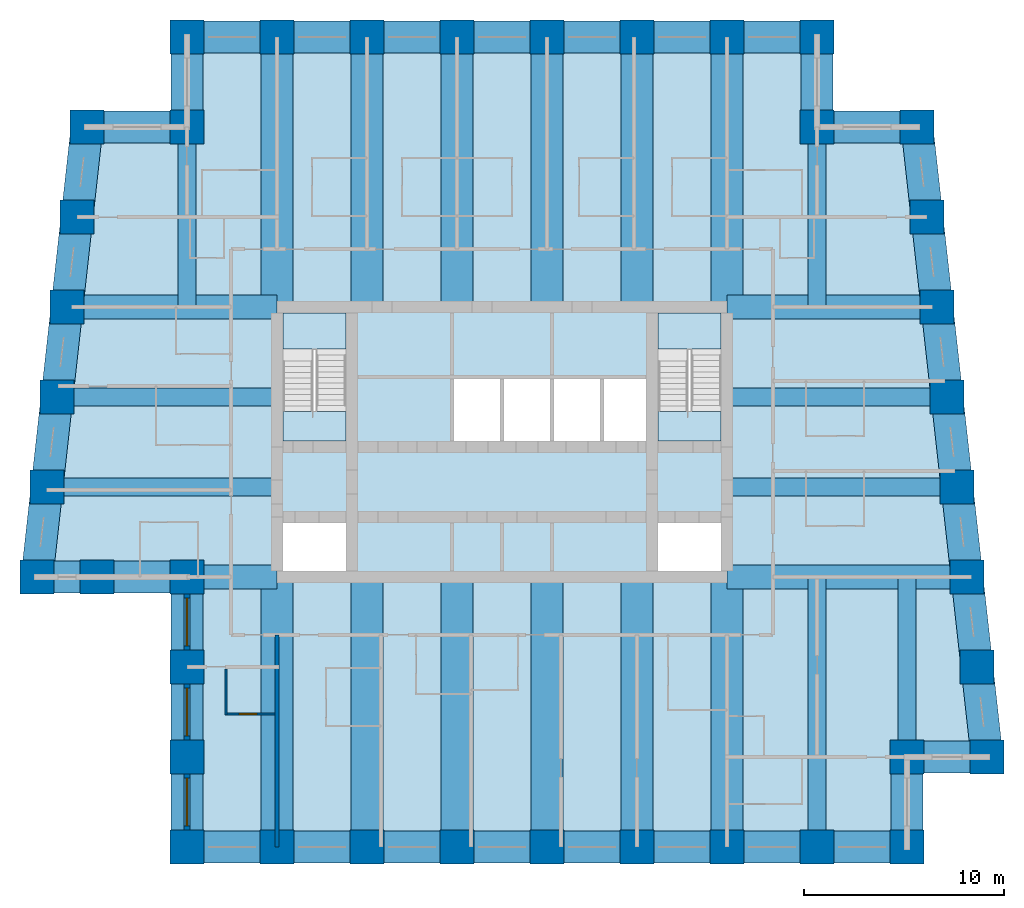
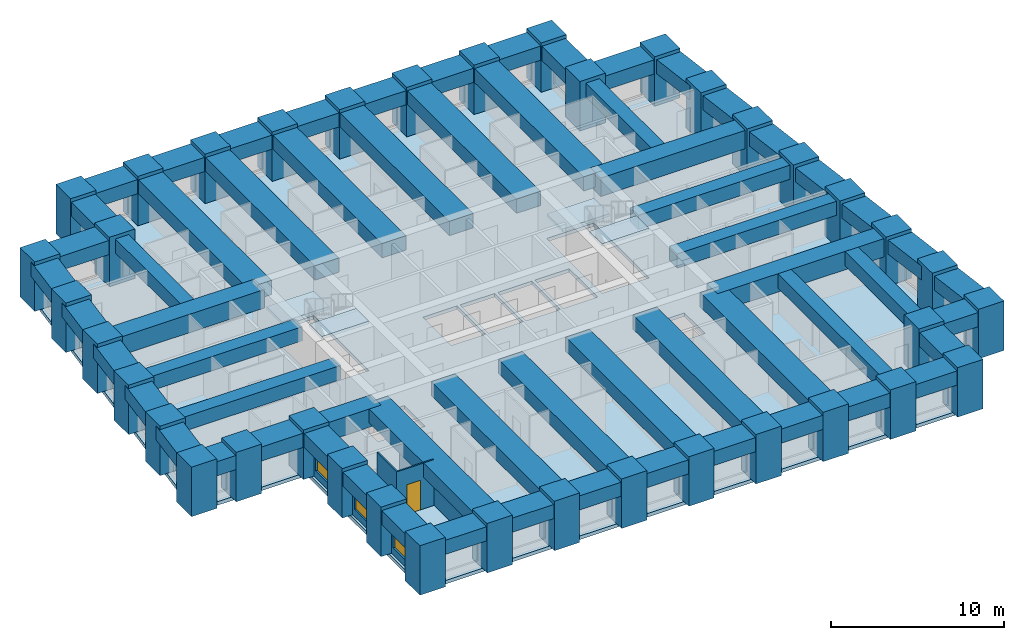
# One storey, part 1 of 8: 62 beams, 38 columns, 5 slabs, 4 walls, 3 windows, 1 door, 4 openings, 2 elements without a shape of their own.
"""IFC4 building model written with IfcOpenShell, lengths in metres."""

from ifc_helpers import new_model, si_unit, direction, frame, frame_2d, origin, origin_2d, place, context, subcontext, project, spatial, polyline, rectangle, outline, extrude, material, layer, layer_set, material_profile, profile_set, type_object, element, fill, aggregate, save


model = new_model("IFC4")

# Units and contexts
model_context = context("Model", 3, precision=1e-05, world=origin(), true_north=direction((0.0, 1.0)))
body_context = subcontext(model_context, "Body", "Model", "MODEL_VIEW")
ifc_project = project(units=[si_unit("LENGTHUNIT", "METRE"), si_unit("AREAUNIT", "SQUARE_METRE"), si_unit("VOLUMEUNIT", "CUBIC_METRE"), si_unit("PLANEANGLEUNIT", "RADIAN"), si_unit("MASSUNIT", "GRAM", prefix="KILO")], contexts=[model_context])

# Site, building, storey
site_placement = place(None, origin())
site = spatial("IfcSite", under=ifc_project, at=site_placement, CompositionType="ELEMENT")
building_placement = place(site_placement, origin())
building = spatial("IfcBuilding", under=site, at=building_placement, Name="Kilele Tower Hotel", CompositionType="ELEMENT")
storey_placement = place(building_placement, frame((0.0, 0.0, 183.39990234375)))
storey = spatial("IfcBuildingStorey", under=building, at=storey_placement, Name="L47", CompositionType="ELEMENT", Elevation=183.39990234375)

# Columns
ifc_material_1 = material(Name="Concrete C60/75", Category="concrete")
ifc_material_profile_1 = material_profile(ifc_material_1, rectangle(XDim=1.699951171875, YDim=1.699951171875, at=origin_2d()))
ifc_profile_set_1 = profile_set([ifc_material_profile_1], Name="Concrete C60/75")
column_type = type_object("IfcColumnType", Name="Tube column RC 1700x1700 C60/75", PredefinedType="COLUMN", material=ifc_profile_set_1)
for number, where, z_axis, x_axis, name in (
    (1, (1.5, 13.5, 0.0), (0.0, 0.0, 1.0), (1.0, 0.0, 0.0), "Column TC4 L47"),
    (2, (4.5, 13.5, 0.0), (0.0, 0.0, 1.0), (1.0, 0.0, 0.0), "Column TC4 L47"),
    (3, (9.0, 13.5, 0.0), (0.0, 0.0, 1.0), (1.0, 0.0, 0.0), "Column TC4 L47"),
    (4, (9.0, 9.0, 0.0), (0.0, 0.0, 1.0), (1.0, 0.0, 0.0), "Column TC4 L47"),
    (5, (9.0, 4.5, 0.0), (0.0, 0.0, 1.0), (1.0, 0.0, 0.0), "Column TC4 L47"),
    (6, (9.0, 0.0, 0.0), (0.0, 0.0, 1.0), (1.0, 0.0, 0.0), "Column TC4 L47"),
    (7, (13.5, 0.0, 0.0), (0.0, 0.0, 1.0), (1.0, 0.0, 0.0), "Column TC4 L47"),
    (8, (18.0, 0.0, 0.0), (0.0, 0.0, 1.0), (1.0, 0.0, 0.0), "Column TC4 L47"),
    (9, (22.5, 0.0, 0.0), (0.0, 0.0, 1.0), (1.0, 0.0, 0.0), "Column TC4 L47"),
    (10, (27.0, 0.0, 0.0), (0.0, 0.0, 1.0), (1.0, 0.0, 0.0), "Column TC4 L47"),
    (11, (31.5, 0.0, 0.0), (0.0, 0.0, 1.0), (1.0, 0.0, 0.0), "Column TC4 L47"),
    (12, (36.0, 0.0, 0.0), (0.0, 0.0, 1.0), (1.0, 0.0, 0.0), "Column TC4 L47"),
    (13, (40.5, 0.0, 0.0), (0.0, 0.0, 1.0), (1.0, 0.0, 0.0), "Column TC4 L47"),
    (14, (45.0, 0.0, 0.0), (0.0, 0.0, 1.0), (1.0, 0.0, 0.0), "Column TC4 L47"),
    (15, (45.0, 4.5, 0.0), (0.0, 0.0, 1.0), (1.0, 0.0, 0.0), "Column TC4 L47"),
    (16, (49.0, 4.5, 0.0), (0.0, 0.0, 1.0), (1.0, 0.0, 0.0), "Column TC4 L47"),
    (17, (48.5, 9.0, 0.0), (0.0, 0.0, 1.0), (1.0, 0.0, 0.0), "Column TC4 L47"),
    (18, (48.0, 13.5, 0.0), (0.0, 0.0, 1.0), (1.0, 0.0, 0.0), "Column TC4 L47"),
    (19, (47.5, 18.0, 0.0), (0.0, 0.0, 1.0), (1.0, 0.0, 0.0), "Column TC4 L47"),
    (20, (47.0, 22.5, 0.0), (0.0, 0.0, 1.0), (1.0, 0.0, 0.0), "Column TC4 L47"),
    (21, (46.5, 27.0, 0.0), (0.0, 0.0, 1.0), (1.0, 0.0, 0.0), "Column TC4 L47"),
    (22, (46.0, 31.5, 0.0), (0.0, 0.0, 1.0), (1.0, 0.0, 0.0), "Column TC4 L47"),
    (23, (45.5, 36.0, 0.0), (0.0, 0.0, 1.0), (1.0, 0.0, 0.0), "Column TC4 L47"),
    (24, (40.5, 36.0, 0.0), (0.0, 0.0, 1.0), (1.0, 0.0, 0.0), "Column TC4 L47"),
    (25, (40.5, 40.5, 0.0), (0.0, 0.0, 1.0), (1.0, 0.0, 0.0), "Column TC4 L47"),
    (26, (36.0, 40.5, 0.0), (0.0, 0.0, 1.0), (1.0, 0.0, 0.0), "Column TC4 L47"),
    (27, (31.5, 40.5, 0.0), (0.0, 0.0, 1.0), (1.0, 0.0, 0.0), "Column TC4 L47"),
    (28, (27.0, 40.5, 0.0), (0.0, 0.0, 1.0), (1.0, 0.0, 0.0), "Column TC4 L47"),
    (29, (22.5, 40.5, 0.0), (0.0, 0.0, 1.0), (1.0, 0.0, 0.0), "Column TC4 L47"),
    (30, (18.0, 40.5, 0.0), (0.0, 0.0, 1.0), (1.0, 0.0, 0.0), "Column TC4 L47"),
    (31, (13.5, 40.5, 0.0), (0.0, 0.0, 1.0), (1.0, 0.0, 0.0), "Column TC4 L47"),
    (32, (9.0, 40.5, 0.0), (0.0, 0.0, 1.0), (1.0, 0.0, 0.0), "Column TC4 L47"),
    (33, (9.0, 36.0, 0.0), (0.0, 0.0, 1.0), (1.0, 0.0, 0.0), "Column TC4 L47"),
    (34, (4.0, 36.0, 0.0), (0.0, 0.0, 1.0), (1.0, 0.0, 0.0), "Column TC4 L47"),
    (35, (3.5, 31.5, 0.0), (0.0, 0.0, 1.0), (1.0, 0.0, 0.0), "Column TC4 L47"),
    (36, (3.0, 27.0, 0.0), (0.0, 0.0, 1.0), (1.0, 0.0, 0.0), "Column TC4 L47"),
    (37, (2.5, 22.5, 0.0), (0.0, 0.0, 1.0), (1.0, 0.0, 0.0), "Column TC4 L47"),
    (38, (2.0, 18.0, 0.0), (0.0, 0.0, 1.0), (1.0, 0.0, 0.0), "Column TC4 L47"),
):
    element("IfcColumn", number, at=place(storey_placement, frame(where, z_axis=z_axis, x_axis=x_axis)), inside=storey, type_object=column_type, Name=name, PredefinedType="COLUMN", context=body_context, shape_type="SweptSolid", body=[
        extrude(rectangle(XDim=1.699951171875, YDim=1.699951171875, at=origin_2d()), origin(), (0.0, 0.0, 1.0), 3.5),
    ])

# Beams
ifc_material_2 = material(Name="Concrete C60/75", Category="concrete")
ifc_material_profile_2 = material_profile(ifc_material_2, rectangle(XDim=1.60009765625, YDim=1.0, at=origin_2d()))
ifc_profile_set_2 = profile_set([ifc_material_profile_2], Name="Concrete C60/75")
beam_type_1 = type_object("IfcBeamType", Name="Beam RC 1600x1000 C60/75", PredefinedType="BEAM", material=ifc_profile_set_2)
for number, where, z_axis, x_axis, name in (
    (39, (13.5, 0.0, 2.75), (0.0, 1.0, 0.0), (-1.0, 0.0, 0.0), "Beam BC1 level L48"),
    (40, (18.0, 0.0, 2.75), (0.0, 1.0, 0.0), (-1.0, 0.0, 0.0), "Beam BC1 level L48"),
    (41, (22.5, 0.0, 2.75), (0.0, 1.0, 0.0), (-1.0, 0.0, 0.0), "Beam BC1 level L48"),
    (42, (27.0, 0.0, 2.75), (0.0, 1.0, 0.0), (-1.0, 0.0, 0.0), "Beam BC1 level L48"),
    (43, (31.5, 0.0, 2.75), (0.0, 1.0, 0.0), (-1.0, 0.0, 0.0), "Beam BC1 level L48"),
    (44, (36.0, 0.0, 2.75), (0.0, 1.0, 0.0), (-1.0, 0.0, 0.0), "Beam BC1 level L48"),
    (45, (36.0, 40.5, 2.75), (0.0, -1.0, 0.0), (1.0, 0.0, 0.0), "Beam BC1 level L48"),
    (46, (31.5, 40.5, 2.75), (0.0, -1.0, 0.0), (1.0, 0.0, 0.0), "Beam BC1 level L48"),
    (47, (27.0, 40.5, 2.75), (0.0, -1.0, 0.0), (1.0, 0.0, 0.0), "Beam BC1 level L48"),
    (48, (22.5, 40.5, 2.75), (0.0, -1.0, 0.0), (1.0, 0.0, 0.0), "Beam BC1 level L48"),
    (49, (18.0, 40.5, 2.75), (0.0, -1.0, 0.0), (1.0, 0.0, 0.0), "Beam BC1 level L48"),
    (50, (13.5, 40.5, 2.75), (0.0, -1.0, 0.0), (1.0, 0.0, 0.0), "Beam BC1 level L48"),
):
    element("IfcBeam", number, at=place(storey_placement, frame(where, z_axis=z_axis, x_axis=x_axis)), inside=storey, type_object=beam_type_1, Name=name, PredefinedType="BEAM", context=body_context, shape_type="SweptSolid", body=[
        extrude(rectangle(XDim=1.60009765625, YDim=1.0, at=origin_2d()), origin(), (0.0, 0.0, 1.0), 13.5),
    ])
ifc_material_3 = material(Name="Concrete C60/75", Category="concrete")
ifc_material_profile_3 = material_profile(ifc_material_3, rectangle(XDim=0.89990234375, YDim=1.0, at=origin_2d()))
ifc_profile_set_3 = profile_set([ifc_material_profile_3], Name="Concrete C60/75")
beam_type_2 = type_object("IfcBeamType", Name="Beam RC 900x1000 C60/75", PredefinedType="BEAM", material=ifc_profile_set_3)
beam_1_placement = place(storey_placement, frame((40.5, 0.0, 2.75), z_axis=(0.0, 1.0, 0.0), x_axis=(-1.0, 0.0, 0.0)))
element("IfcBeam", 51, at=beam_1_placement, inside=storey, type_object=beam_type_2, Name="Beam B8 level L48", PredefinedType="BEAM", context=body_context, shape_type="SweptSolid", body=[
    extrude(rectangle(XDim=0.89990234375, YDim=1.0, at=origin_2d()), origin(), (0.0, 0.0, 1.0), 13.5),
])
beam_2_placement = place(storey_placement, frame((45.0, 4.5, 2.75), z_axis=(0.0, 1.0, 0.0), x_axis=(-1.0, 0.0, 0.0)))
element("IfcBeam", 52, at=beam_2_placement, inside=storey, type_object=beam_type_2, Name="Beam B8 level L48", PredefinedType="BEAM", context=body_context, shape_type="SweptSolid", body=[
    extrude(rectangle(XDim=0.89990234375, YDim=1.0, at=origin_2d()), origin(), (0.0, 0.0, 1.0), 9.0),
])
beam_3_placement = place(storey_placement, frame((47.5, 18.0, 2.75), z_axis=(-1.0, 0.0, 0.0), x_axis=(0.0, -1.0, 0.0)))
element("IfcBeam", 53, at=beam_3_placement, inside=storey, type_object=beam_type_2, Name="Beam B8 level L48", PredefinedType="BEAM", context=body_context, shape_type="SweptSolid", body=[
    extrude(rectangle(XDim=0.89990234375, YDim=1.0, at=origin_2d()), origin(), (0.0, 0.0, 1.0), 11.5),
])
beam_4_placement = place(storey_placement, frame((47.0, 22.5, 2.75), z_axis=(-1.0, 0.0, 0.0), x_axis=(0.0, -1.0, 0.0)))
element("IfcBeam", 54, at=beam_4_placement, inside=storey, type_object=beam_type_2, Name="Beam B8 level L48", PredefinedType="BEAM", context=body_context, shape_type="SweptSolid", body=[
    extrude(rectangle(XDim=0.89990234375, YDim=1.0, at=origin_2d()), origin(), (0.0, 0.0, 1.0), 11.0),
])
for number, where, z_axis, x_axis, name in (
    (55, (40.5, 36.0, 2.75), (0.0, -1.0, 0.0), (1.0, 0.0, 0.0), "Beam B8 level L48"),
    (56, (9.0, 36.0, 2.75), (0.0, -1.0, 0.0), (1.0, 0.0, 0.0), "Beam B8 level L48"),
):
    element("IfcBeam", number, at=place(storey_placement, frame(where, z_axis=z_axis, x_axis=x_axis)), inside=storey, type_object=beam_type_2, Name=name, PredefinedType="BEAM", context=body_context, shape_type="SweptSolid", body=[
        extrude(rectangle(XDim=0.89990234375, YDim=1.0, at=origin_2d()), origin(), (0.0, 0.0, 1.0), 9.0),
    ])
beam_5_placement = place(storey_placement, frame((2.5, 22.5, 2.75), z_axis=(1.0, 0.0, 0.0), x_axis=(0.0, 1.0, 0.0)))
element("IfcBeam", 57, at=beam_5_placement, inside=storey, type_object=beam_type_2, Name="Beam B8 level L48", PredefinedType="BEAM", context=body_context, shape_type="SweptSolid", body=[
    extrude(rectangle(XDim=0.89990234375, YDim=1.0, at=origin_2d()), origin(), (0.0, 0.0, 1.0), 11.0),
])
beam_6_placement = place(storey_placement, frame((2.0, 18.0, 2.75), z_axis=(1.0, 0.0, 0.0), x_axis=(0.0, 1.0, 0.0)))
element("IfcBeam", 58, at=beam_6_placement, inside=storey, type_object=beam_type_2, Name="Beam B8 level L48", PredefinedType="BEAM", context=body_context, shape_type="SweptSolid", body=[
    extrude(rectangle(XDim=0.89990234375, YDim=1.0, at=origin_2d()), origin(), (0.0, 0.0, 1.0), 11.5),
])
ifc_material_4 = material(Name="Concrete C60/75", Category="concrete")
ifc_material_profile_4 = material_profile(ifc_material_4, rectangle(XDim=1.199951171875, YDim=1.300048828125, at=origin_2d()))
ifc_profile_set_4 = profile_set([ifc_material_profile_4], Name="Concrete C60/75")
beam_type_3 = type_object("IfcBeamType", Name="Girder RC 1200x1300 C60/75", PredefinedType="BEAM", material=ifc_profile_set_4)
beam_7_placement = place(storey_placement, frame((48.0, 13.5, 2.60009765625), z_axis=(-1.0, 0.0, 0.0), x_axis=(0.0, -1.0, 0.0)))
element("IfcBeam", 59, at=beam_7_placement, inside=storey, type_object=beam_type_3, Name="Girder G1 level L48", PredefinedType="BEAM", context=body_context, shape_type="SweptSolid", body=[
    extrude(rectangle(XDim=1.199951171875, YDim=1.300048828125, at=origin_2d()), origin(), (0.0, 0.0, 1.0), 12.0),
])
ifc_material_5 = material(Name="Concrete C60/75", Category="concrete")
ifc_material_profile_5 = material_profile(ifc_material_5, rectangle(XDim=1.199951171875, YDim=1.300048828125, at=origin_2d()))
ifc_profile_set_5 = profile_set([ifc_material_profile_5], Name="Concrete C60/75")
beam_type_4 = type_object("IfcBeamType", Name="Girder RC 1200x1300 C60/75 mid span", PredefinedType="BEAM", material=ifc_profile_set_5)
for number, where, z_axis, x_axis, name in (
    (60, (46.5, 27.0, 2.60009765625), (-1.0, 0.0, 0.0), (0.0, -1.0, 0.0), "Girder G3 level L48"),
    (61, (3.0, 27.0, 2.60009765625), (1.0, 0.0, 0.0), (0.0, 1.0, 0.0), "Girder G3 level L48"),
):
    element("IfcBeam", number, at=place(storey_placement, frame(where, z_axis=z_axis, x_axis=x_axis)), inside=storey, type_object=beam_type_4, Name=name, PredefinedType="BEAM", context=body_context, shape_type="SweptSolid", body=[
        extrude(rectangle(XDim=1.199951171875, YDim=1.300048828125, at=origin_2d()), origin(), (0.0, 0.0, 1.0), 10.5),
    ])
ifc_material_6 = material(Name="Concrete C60/75", Category="concrete")
ifc_material_profile_6 = material_profile(ifc_material_6, rectangle(XDim=1.199951171875, YDim=1.300048828125, at=origin_2d()))
ifc_profile_set_6 = profile_set([ifc_material_profile_6], Name="Concrete C60/75")
beam_type_5 = type_object("IfcBeamType", Name="Girder RC 1200x1300 C60/75 short span", PredefinedType="BEAM", material=ifc_profile_set_6)
beam_8_placement = place(storey_placement, frame((9.0, 13.5, 2.60009765625), z_axis=(1.0, 0.0, 0.0), x_axis=(0.0, 1.0, 0.0)))
element("IfcBeam", 62, at=beam_8_placement, inside=storey, type_object=beam_type_5, Name="Girder G5 level L48", PredefinedType="BEAM", context=body_context, shape_type="SweptSolid", body=[
    extrude(rectangle(XDim=1.199951171875, YDim=1.300048828125, at=origin_2d()), origin(), (0.0, 0.0, 1.0), 4.5),
])
ifc_material_7 = material(Name="Concrete C60/75", Category="concrete")
ifc_material_profile_7 = material_profile(ifc_material_7, rectangle(XDim=1.60009765625, YDim=1.0, at=origin_2d()))
ifc_profile_set_7 = profile_set([ifc_material_profile_7], Name="Concrete C60/75")
beam_type_6 = type_object("IfcBeamType", Name="Spandrel RC 1600x1000 C60/75", PredefinedType="SPANDREL", material=ifc_profile_set_7)
beam_9_placement = place(storey_placement, frame((1.5, 13.5, 2.75), z_axis=(1.0, 0.0, 0.0), x_axis=(0.0, 1.0, 0.0)))
element("IfcBeam", 63, at=beam_9_placement, inside=storey, type_object=beam_type_6, Name="Spandrel SP2 level L48", PredefinedType="SPANDREL", context=body_context, shape_type="SweptSolid", body=[
    extrude(rectangle(XDim=1.60009765625, YDim=1.0, at=origin_2d()), origin(), (0.0, 0.0, 1.0), 3.0),
])
for number, where, z_axis, x_axis, name in (
    (64, (4.5, 13.5, 2.75), (1.0, 0.0, 0.0), (0.0, 1.0, 0.0), "Spandrel SP2 level L48"),
    (65, (9.0, 13.5, 2.75), (0.0, -1.0, 0.0), (1.0, 0.0, 0.0), "Spandrel SP2 level L48"),
    (66, (9.0, 9.0, 2.75), (0.0, -1.0, 0.0), (1.0, 0.0, 0.0), "Spandrel SP2 level L48"),
    (67, (9.0, 4.5, 2.75), (0.0, -1.0, 0.0), (1.0, 0.0, 0.0), "Spandrel SP2 level L48"),
    (68, (9.0, 0.0, 2.75), (1.0, 0.0, 0.0), (0.0, 1.0, 0.0), "Spandrel SP2 level L48"),
    (69, (13.5, 0.0, 2.75), (1.0, 0.0, 0.0), (0.0, 1.0, 0.0), "Spandrel SP2 level L48"),
    (70, (18.0, 0.0, 2.75), (1.0, 0.0, 0.0), (0.0, 1.0, 0.0), "Spandrel SP2 level L48"),
    (71, (22.5, 0.0, 2.75), (1.0, 0.0, 0.0), (0.0, 1.0, 0.0), "Spandrel SP2 level L48"),
    (72, (27.0, 0.0, 2.75), (1.0, 0.0, 0.0), (0.0, 1.0, 0.0), "Spandrel SP2 level L48"),
    (73, (31.5, 0.0, 2.75), (1.0, 0.0, 0.0), (0.0, 1.0, 0.0), "Spandrel SP2 level L48"),
    (74, (36.0, 0.0, 2.75), (1.0, 0.0, 0.0), (0.0, 1.0, 0.0), "Spandrel SP2 level L48"),
    (75, (40.5, 0.0, 2.75), (1.0, 0.0, 0.0), (0.0, 1.0, 0.0), "Spandrel SP2 level L48"),
    (76, (45.0, 0.0, 2.75), (0.0, 1.0, 0.0), (-1.0, 0.0, 0.0), "Spandrel SP2 level L48"),
):
    element("IfcBeam", number, at=place(storey_placement, frame(where, z_axis=z_axis, x_axis=x_axis)), inside=storey, type_object=beam_type_6, Name=name, PredefinedType="SPANDREL", context=body_context, shape_type="SweptSolid", body=[
        extrude(rectangle(XDim=1.60009765625, YDim=1.0, at=origin_2d()), origin(), (0.0, 0.0, 1.0), 4.5),
    ])
beam_10_placement = place(storey_placement, frame((45.0, 4.5, 2.75), z_axis=(1.0, 0.0, 0.0), x_axis=(0.0, 1.0, 0.0)))
element("IfcBeam", 77, at=beam_10_placement, inside=storey, type_object=beam_type_6, Name="Spandrel SP2 level L48", PredefinedType="SPANDREL", context=body_context, shape_type="SweptSolid", body=[
    extrude(rectangle(XDim=1.60009765625, YDim=1.0, at=origin_2d()), origin(), (0.0, 0.0, 1.0), 4.0),
])
for number, where, z_axis, x_axis, name in (
    (78, (49.0, 4.5, 2.75), (-0.110431526075, 0.993883734674, 0.0), (-0.993883734674, -0.110431526075, 0.0), "Spandrel SP2 level L48"),
    (79, (48.5, 9.0, 2.75), (-0.110431526075, 0.993883734674, 0.0), (-0.993883734674, -0.110431526075, 0.0), "Spandrel SP2 level L48"),
    (80, (48.0, 13.5, 2.75), (-0.110431526075, 0.993883734674, 0.0), (-0.993883734674, -0.110431526075, 0.0), "Spandrel SP2 level L48"),
    (81, (47.5, 18.0, 2.75), (-0.110431526075, 0.993883734674, 0.0), (-0.993883734674, -0.110431526075, 0.0), "Spandrel SP2 level L48"),
    (82, (47.0, 22.5, 2.75), (-0.110431526075, 0.993883734674, 0.0), (-0.993883734674, -0.110431526075, 0.0), "Spandrel SP2 level L48"),
    (83, (46.5, 27.0, 2.75), (-0.110431526075, 0.993883734674, 0.0), (-0.993883734674, -0.110431526075, 0.0), "Spandrel SP2 level L48"),
    (84, (46.0, 31.5, 2.75), (-0.110431526075, 0.993883734674, 0.0), (-0.993883734674, -0.110431526075, 0.0), "Spandrel SP2 level L48"),
):
    element("IfcBeam", number, at=place(storey_placement, frame(where, z_axis=z_axis, x_axis=x_axis)), inside=storey, type_object=beam_type_6, Name=name, PredefinedType="SPANDREL", context=body_context, shape_type="SweptSolid", body=[
        extrude(rectangle(XDim=1.60009765625, YDim=1.0, at=origin_2d()), origin(), (0.0, 0.0, 1.0), 4.527587890625),
    ])
beam_11_placement = place(storey_placement, frame((45.5, 36.0, 2.75), z_axis=(-1.0, 0.0, 0.0), x_axis=(0.0, -1.0, 0.0)))
element("IfcBeam", 85, at=beam_11_placement, inside=storey, type_object=beam_type_6, Name="Spandrel SP2 level L48", PredefinedType="SPANDREL", context=body_context, shape_type="SweptSolid", body=[
    extrude(rectangle(XDim=1.60009765625, YDim=1.0, at=origin_2d()), origin(), (0.0, 0.0, 1.0), 5.0),
])
for number, where, z_axis, x_axis, name in (
    (86, (40.5, 36.0, 2.75), (0.0, 1.0, 0.0), (-1.0, 0.0, 0.0), "Spandrel SP2 level L48"),
    (87, (40.5, 40.5, 2.75), (-1.0, 0.0, 0.0), (0.0, -1.0, 0.0), "Spandrel SP2 level L48"),
    (88, (36.0, 40.5, 2.75), (-1.0, 0.0, 0.0), (0.0, -1.0, 0.0), "Spandrel SP2 level L48"),
    (89, (31.5, 40.5, 2.75), (-1.0, 0.0, 0.0), (0.0, -1.0, 0.0), "Spandrel SP2 level L48"),
    (90, (27.0, 40.5, 2.75), (-1.0, 0.0, 0.0), (0.0, -1.0, 0.0), "Spandrel SP2 level L48"),
    (91, (22.5, 40.5, 2.75), (-1.0, 0.0, 0.0), (0.0, -1.0, 0.0), "Spandrel SP2 level L48"),
    (92, (18.0, 40.5, 2.75), (-1.0, 0.0, 0.0), (0.0, -1.0, 0.0), "Spandrel SP2 level L48"),
    (93, (13.5, 40.5, 2.75), (-1.0, 0.0, 0.0), (0.0, -1.0, 0.0), "Spandrel SP2 level L48"),
    (94, (9.0, 40.5, 2.75), (0.0, -1.0, 0.0), (1.0, 0.0, 0.0), "Spandrel SP2 level L48"),
):
    element("IfcBeam", number, at=place(storey_placement, frame(where, z_axis=z_axis, x_axis=x_axis)), inside=storey, type_object=beam_type_6, Name=name, PredefinedType="SPANDREL", context=body_context, shape_type="SweptSolid", body=[
        extrude(rectangle(XDim=1.60009765625, YDim=1.0, at=origin_2d()), origin(), (0.0, 0.0, 1.0), 4.5),
    ])
beam_12_placement = place(storey_placement, frame((9.0, 36.0, 2.75), z_axis=(-1.0, 0.0, 0.0), x_axis=(0.0, -1.0, 0.0)))
element("IfcBeam", 95, at=beam_12_placement, inside=storey, type_object=beam_type_6, Name="Spandrel SP2 level L48", PredefinedType="SPANDREL", context=body_context, shape_type="SweptSolid", body=[
    extrude(rectangle(XDim=1.60009765625, YDim=1.0, at=origin_2d()), origin(), (0.0, 0.0, 1.0), 5.0),
])
for number, where, z_axis, x_axis, name in (
    (96, (4.0, 36.0, 2.75), (-0.110431526075, -0.993883734674, 0.0), (0.993883734674, -0.110431526075, 0.0), "Spandrel SP2 level L48"),
    (97, (3.5, 31.5, 2.75), (-0.110431526075, -0.993883734674, 0.0), (0.993883734674, -0.110431526075, 0.0), "Spandrel SP2 level L48"),
    (98, (3.0, 27.0, 2.75), (-0.110431526075, -0.993883734674, 0.0), (0.993883734674, -0.110431526075, 0.0), "Spandrel SP2 level L48"),
    (99, (2.5, 22.5, 2.75), (-0.110431526075, -0.993883734674, 0.0), (0.993883734674, -0.110431526075, 0.0), "Spandrel SP2 level L48"),
    (100, (2.0, 18.0, 2.75), (-0.110431526075, -0.993883734674, 0.0), (0.993883734674, -0.110431526075, 0.0), "Spandrel SP2 level L48"),
):
    element("IfcBeam", number, at=place(storey_placement, frame(where, z_axis=z_axis, x_axis=x_axis)), inside=storey, type_object=beam_type_6, Name=name, PredefinedType="SPANDREL", context=body_context, shape_type="SweptSolid", body=[
        extrude(rectangle(XDim=1.60009765625, YDim=1.0, at=origin_2d()), origin(), (0.0, 0.0, 1.0), 4.527587890625),
    ])

# Slab
ifc_material_8 = material(Name="Concrete C60/75", Category="concrete")
ifc_layer_1 = layer(ifc_material_8, 0.25)
ifc_layer_set_1 = layer_set([ifc_layer_1], Name="Concrete C60/75")
slab_type_1 = type_object("IfcSlabType", Name="Floor slab 250", PredefinedType="FLOOR", material=ifc_layer_set_1)
slab_1_placement = place(storey_placement, frame((0.0, 0.0, -0.25)))
element("IfcSlab", 101, at=slab_1_placement, inside=storey, type_object=slab_type_1, Name="Floor slab L47", PredefinedType="FLOOR", context=body_context, shape_type="SweptSolid", body=[
    extrude(outline(polyline([(8.699951171875, 36.300048828125), (8.699951171875, 40.800048828125), (40.800048828125, 40.800048828125), (40.800048828125, 36.300048828125), (45.7685546875, 36.300048828125), (49.335205078125, 4.199951171875), (45.300048828125, 4.199951171875), (45.300048828125, -0.300048828125), (8.699951171875, -0.300048828125), (8.699951171875, 13.199951171875), (1.164794921875, 13.199951171875), (3.7314453125, 36.300048828125), (8.699951171875, 36.300048828125)]), holes=[polyline([(16.949951171875, 16.199951171875), (13.800048828125, 16.199951171875), (13.800048828125, 13.800048828125), (16.949951171875, 13.800048828125), (16.949951171875, 16.199951171875)]), polyline([(35.699951171875, 16.199951171875), (32.550048828125, 16.199951171875), (32.550048828125, 13.800048828125), (35.699951171875, 13.800048828125), (35.699951171875, 16.199951171875)]), polyline([(24.64990234375, 23.39990234375), (22.35009765625, 23.39990234375), (22.35009765625, 20.10009765625), (24.64990234375, 20.10009765625), (24.64990234375, 23.39990234375)]), polyline([(27.14990234375, 23.39990234375), (24.85009765625, 23.39990234375), (24.85009765625, 20.10009765625), (27.14990234375, 20.10009765625), (27.14990234375, 23.39990234375)]), polyline([(29.64990234375, 23.39990234375), (27.35009765625, 23.39990234375), (27.35009765625, 20.10009765625), (29.64990234375, 20.10009765625), (29.64990234375, 23.39990234375)]), polyline([(32.14990234375, 23.39990234375), (29.85009765625, 23.39990234375), (29.85009765625, 20.10009765625), (32.14990234375, 20.10009765625), (32.14990234375, 23.39990234375)]), polyline([(16.949951171875, 26.699951171875), (13.800048828125, 26.699951171875), (13.800048828125, 20.300048828125), (16.949951171875, 20.300048828125), (16.949951171875, 26.699951171875)]), polyline([(35.699951171875, 26.699951171875), (32.550048828125, 26.699951171875), (32.550048828125, 20.300048828125), (35.699951171875, 20.300048828125), (35.699951171875, 26.699951171875)])]), origin(), (0.0, 0.0, 1.0), 0.25),
])

# Stair, slabs
ifc_material_9 = material(Name="Precast concrete C40/50", Category="concrete")
stair_type = type_object("IfcStairType", Name="Stair 1475 x 3500", PredefinedType="HALF_TURN_STAIR", material=ifc_material_9)
stair_1_placement = place(storey_placement, origin())
stair_1 = element("IfcStair", 102, at=stair_1_placement, inside=storey, type_object=stair_type, Name="Stair 1 L47", PredefinedType="HALF_TURN_STAIR")
ifc_material_10 = material(Name="Precast concrete C40/50", Category="concrete")
ifc_layer_2 = layer(ifc_material_10, 0.199951171875)
ifc_layer_set_2 = layer_set([ifc_layer_2], Name="Precast concrete C40/50")
slab_type_2 = type_object("IfcSlabType", Name="Stair landing 200", PredefinedType="LANDING", material=ifc_layer_set_2)
slab_2_placement = place(storey_placement, frame((0.0, 0.0, 1.550048828125)))
slab_2 = element("IfcSlab", 103, at=slab_2_placement, type_object=slab_type_2, Name="ST1 landing 1", PredefinedType="LANDING", context=body_context, shape_type="SweptSolid", body=[
    extrude(outline(polyline([(13.800048828125, 24.89501953125), (16.949951171875, 24.89501953125), (16.949951171875, 26.699951171875), (13.800048828125, 26.699951171875), (13.800048828125, 24.89501953125)])), origin(), (0.0, 0.0, 1.0), 0.199951171875),
])
slab_3_placement = place(storey_placement, frame((0.0, 0.0, 3.300048828125)))
slab_3 = element("IfcSlab", 104, at=slab_3_placement, type_object=slab_type_2, Name="ST1 landing 2", PredefinedType="LANDING", context=body_context, shape_type="SweptSolid", body=[
    extrude(outline(polyline([(13.800048828125, 20.300048828125), (16.949951171875, 20.300048828125), (16.949951171875, 21.77490234375), (13.800048828125, 21.77490234375), (13.800048828125, 20.300048828125)])), origin(), (0.0, 0.0, 1.0), 0.199951171875),
])
aggregate(stair_1, [slab_2, slab_3])

stair_2_placement = place(storey_placement, origin())
stair_2 = element("IfcStair", 105, at=stair_2_placement, inside=storey, type_object=stair_type, Name="Stair 2 L47", PredefinedType="HALF_TURN_STAIR")
slab_4_placement = place(storey_placement, frame((0.0, 0.0, 1.550048828125)))
slab_4 = element("IfcSlab", 106, at=slab_4_placement, type_object=slab_type_2, Name="ST2 landing 1", PredefinedType="LANDING", context=body_context, shape_type="SweptSolid", body=[
    extrude(outline(polyline([(32.550048828125, 24.89501953125), (35.699951171875, 24.89501953125), (35.699951171875, 26.699951171875), (32.550048828125, 26.699951171875), (32.550048828125, 24.89501953125)])), origin(), (0.0, 0.0, 1.0), 0.199951171875),
])
slab_5_placement = place(storey_placement, frame((0.0, 0.0, 3.300048828125)))
slab_5 = element("IfcSlab", 107, at=slab_5_placement, type_object=slab_type_2, Name="ST2 landing 2", PredefinedType="LANDING", context=body_context, shape_type="SweptSolid", body=[
    extrude(outline(polyline([(32.550048828125, 20.300048828125), (35.699951171875, 20.300048828125), (35.699951171875, 21.77490234375), (32.550048828125, 21.77490234375), (32.550048828125, 20.300048828125)])), origin(), (0.0, 0.0, 1.0), 0.199951171875),
])
aggregate(stair_2, [slab_4, slab_5])

# Wall
ifc_material_11 = material(Name="Moisture-resistant board")
ifc_layer_3 = layer(ifc_material_11, 0.10009765625)
ifc_layer_set_3 = layer_set([ifc_layer_3], Name="Moisture-resistant board")
wall_type_1 = type_object("IfcWallType", Name="Bathroom partition 100", PredefinedType="PLUMBINGWALL", material=ifc_layer_set_3)
wall_1_placement = place(storey_placement, frame((10.949951171875, 8.89990234375, 0.0), z_axis=(0.0, 0.0, 1.0), x_axis=(0.0, -1.0, 0.0)))
element("IfcWall", 108, at=wall_1_placement, inside=storey, type_object=wall_type_1, Name="Bathroom partition 100 L47", PredefinedType="PLUMBINGWALL", context=body_context, shape_type="SweptSolid", body=[
    extrude(rectangle(XDim=2.2998046875, YDim=0.10009765625, at=frame_2d((1.14990234375, 0.0))), origin(), (0.0, 0.0, 1.0), 3.25),
])

# Wall, opening, door
wall_2_placement = place(storey_placement, frame((13.39990234375, 6.64990234375, 0.0), z_axis=(0.0, 0.0, 1.0), x_axis=(-1.0, 0.0, 0.0)))
wall_2 = element("IfcWall", 109, at=wall_2_placement, inside=storey, type_object=wall_type_1, Name="Bathroom partition 100 L47", PredefinedType="PLUMBINGWALL", context=body_context, shape_type="SweptSolid", body=[
    extrude(rectangle(XDim=2.5, YDim=0.10009765625, at=frame_2d((1.25, 0.0))), origin(), (0.0, 0.0, 1.0), 3.25),
])
opening_1_placement = place(wall_2_placement, frame((0.89990234375, 0.0, 0.0)))
opening_1 = element("IfcOpeningElement", 110, at=opening_1_placement, cuts=wall_2, Name="Opening D2A", PredefinedType="OPENING", context=body_context, shape_type="SweptSolid", body=[
    extrude(rectangle(XDim=0.89990234375, YDim=2.10009765625, at=frame_2d((0.449951171875, 1.050048828125))), frame((0.0, 0.06005859375, 0.0), z_axis=(0.0, -1.0, 0.0), x_axis=(1.0, 0.0, 0.0)), (0.0, 0.0, 1.0), 0.1201171875),
])
ifc_material_12 = material(Name="Timber door leaf in hardwood frame", Category="wood")
door_type = type_object("IfcDoorType", Name="Bathroom door 900", OperationType="SINGLE_SWING_LEFT", PredefinedType="DOOR", material=ifc_material_12)
door_placement = place(opening_1_placement, origin())
door = element("IfcDoor", 111, at=door_placement, inside=storey, type_object=door_type, Name="Bathroom door 4718B", OperationType="SINGLE_SWING_LEFT", OverallHeight=2.10009765625, OverallWidth=0.89990234375, PredefinedType="DOOR", context=body_context, shape_type="SweptSolid", body=[
    extrude(rectangle(XDim=0.89990234375, YDim=2.10009765625, at=frame_2d((0.449951171875, 1.050048828125))), frame((0.0, 0.02490234375, 0.0), z_axis=(0.0, -1.0, 0.0), x_axis=(1.0, 0.0, 0.0)), (0.0, 0.0, 1.0), 0.050048828125),
])
fill(opening_1, door)

# Wall
ifc_material_13 = material(Name="Blockwork, plastered both sides", Category="masonry")
ifc_layer_4 = layer(ifc_material_13, 0.199951171875)
ifc_layer_set_4 = layer_set([ifc_layer_4], Name="Blockwork, plastered both sides")
wall_type_2 = type_object("IfcWallType", Name="Party wall 200", PredefinedType="PARTITIONING", material=ifc_layer_set_4)
wall_3_placement = place(storey_placement, frame((13.5, 10.60009765625, 0.0), z_axis=(0.0, 0.0, 1.0), x_axis=(0.0, -1.0, 0.0)))
element("IfcWall", 112, at=wall_3_placement, inside=storey, type_object=wall_type_2, Name="Party wall 200 L47", PredefinedType="PARTITIONING", context=body_context, shape_type="SweptSolid", body=[
    extrude(rectangle(XDim=10.60009765625, YDim=0.199951171875, at=frame_2d((5.300048828125, 0.0))), origin(), (0.0, 0.0, 1.0), 2.25),
])

# Wall, openings, windows
ifc_material_14 = material(Name="Concrete C40/50 precast", Category="concrete")
ifc_layer_5 = layer(ifc_material_14, 0.260009765625, Name="Precast backing", Category="LoadBearing")
ifc_material_15 = material(Name="Reconstituted stone finish", Category="masonry")
ifc_layer_6 = layer(ifc_material_15, 0.0400390625, Name="Face mix", Category="Finish")
ifc_layer_set_5 = layer_set([ifc_layer_5, ifc_layer_6], Name="Precast concrete C40/50, reconstituted stone finish")
wall_type_3 = type_object("IfcWallType", Name="Precast stone facade wall 300", PredefinedType="STANDARD", material=ifc_layer_set_5)
wall_4_placement = place(storey_placement, frame((9.0, 13.64990234375, 0.0), z_axis=(0.0, 0.0, 1.0), x_axis=(0.0, -1.0, 0.0)))
wall_4 = element("IfcWall", 113, at=wall_4_placement, inside=storey, type_object=wall_type_3, Name="Facade wall L47 edge 2", PredefinedType="STANDARD", context=body_context, shape_type="SweptSolid", body=[
    extrude(rectangle(XDim=13.7998046875, YDim=0.300048828125, at=frame_2d((6.89990234375, 0.0))), origin(), (0.0, 0.0, 1.0), 2.25),
])
opening_2_placement = place(wall_4_placement, frame((1.199951171875, 0.0, 0.5)))
opening_2 = element("IfcOpeningElement", 114, at=opening_2_placement, cuts=wall_4, Name="Opening W3", PredefinedType="OPENING", context=body_context, shape_type="SweptSolid", body=[
    extrude(rectangle(XDim=2.39990234375, YDim=1.60009765625, at=frame_2d((1.199951171875, 0.800048828125))), frame((0.0, 0.159912109375, 0.0), z_axis=(0.0, -1.0, 0.0), x_axis=(1.0, 0.0, 0.0)), (0.0, 0.0, 1.0), 0.320068359375),
])
opening_3_placement = place(wall_4_placement, frame((5.699951171875, 0.0, 0.5)))
opening_3 = element("IfcOpeningElement", 115, at=opening_3_placement, cuts=wall_4, Name="Opening W3", PredefinedType="OPENING", context=body_context, shape_type="SweptSolid", body=[
    extrude(rectangle(XDim=2.39990234375, YDim=1.60009765625, at=frame_2d((1.199951171875, 0.800048828125))), frame((0.0, 0.159912109375, 0.0), z_axis=(0.0, -1.0, 0.0), x_axis=(1.0, 0.0, 0.0)), (0.0, 0.0, 1.0), 0.320068359375),
])
opening_4_placement = place(wall_4_placement, frame((10.199951171875, 0.0, 0.5)))
opening_4 = element("IfcOpeningElement", 116, at=opening_4_placement, cuts=wall_4, Name="Opening W3", PredefinedType="OPENING", context=body_context, shape_type="SweptSolid", body=[
    extrude(rectangle(XDim=2.39990234375, YDim=1.60009765625, at=frame_2d((1.199951171875, 0.800048828125))), frame((0.0, 0.159912109375, 0.0), z_axis=(0.0, -1.0, 0.0), x_axis=(1.0, 0.0, 0.0)), (0.0, 0.0, 1.0), 0.320068359375),
])
ifc_material_16 = material(Name="Aluminium frame, clear double glazing", Category="aluminium")
window_type = type_object("IfcWindowType", Name="Window W3 2400 x 1600", PartitioningType="SINGLE_PANEL", PredefinedType="WINDOW", material=ifc_material_16)
window_1_placement = place(opening_2_placement, origin())
window_1 = element("IfcWindow", 117, at=window_1_placement, inside=storey, type_object=window_type, Name="Window L47", OverallHeight=1.60009765625, OverallWidth=2.39990234375, PartitioningType="SINGLE_PANEL", PredefinedType="WINDOW", context=body_context, shape_type="SweptSolid", body=[
    extrude(rectangle(XDim=2.39990234375, YDim=1.60009765625, at=frame_2d((1.199951171875, 0.800048828125))), frame((0.0, 0.030029296875, 0.0), z_axis=(0.0, -1.0, 0.0), x_axis=(1.0, 0.0, 0.0)), (0.0, 0.0, 1.0), 0.06005859375),
])
fill(opening_2, window_1)
window_2_placement = place(opening_3_placement, origin())
window_2 = element("IfcWindow", 118, at=window_2_placement, inside=storey, type_object=window_type, Name="Window L47", OverallHeight=1.60009765625, OverallWidth=2.39990234375, PartitioningType="SINGLE_PANEL", PredefinedType="WINDOW", context=body_context, shape_type="SweptSolid", body=[
    extrude(rectangle(XDim=2.39990234375, YDim=1.60009765625, at=frame_2d((1.199951171875, 0.800048828125))), frame((0.0, 0.030029296875, 0.0), z_axis=(0.0, -1.0, 0.0), x_axis=(1.0, 0.0, 0.0)), (0.0, 0.0, 1.0), 0.06005859375),
])
fill(opening_3, window_2)
window_3_placement = place(opening_4_placement, origin())
window_3 = element("IfcWindow", 119, at=window_3_placement, inside=storey, type_object=window_type, Name="Window L47", OverallHeight=1.60009765625, OverallWidth=2.39990234375, PartitioningType="SINGLE_PANEL", PredefinedType="WINDOW", context=body_context, shape_type="SweptSolid", body=[
    extrude(rectangle(XDim=2.39990234375, YDim=1.60009765625, at=frame_2d((1.199951171875, 0.800048828125))), frame((0.0, 0.030029296875, 0.0), z_axis=(0.0, -1.0, 0.0), x_axis=(1.0, 0.0, 0.0)), (0.0, 0.0, 1.0), 0.06005859375),
])
fill(opening_4, window_3)

save(model, "model.ifc")
